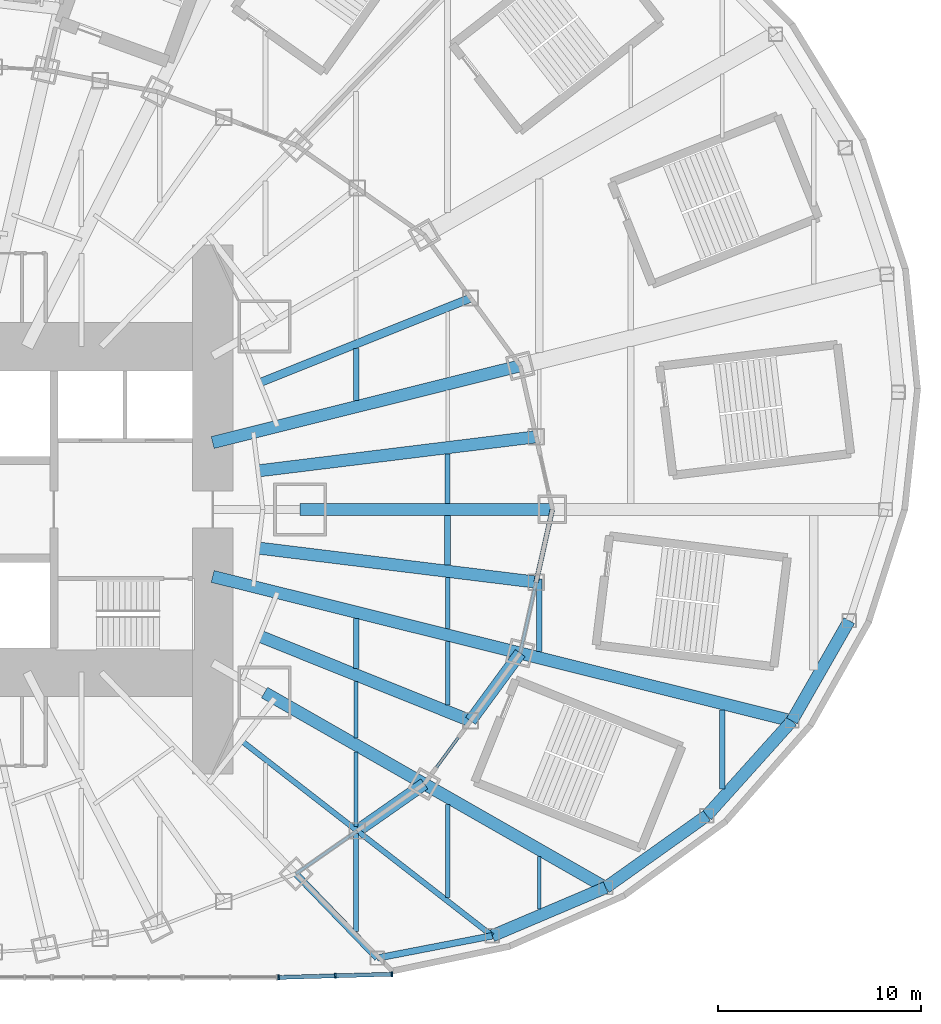
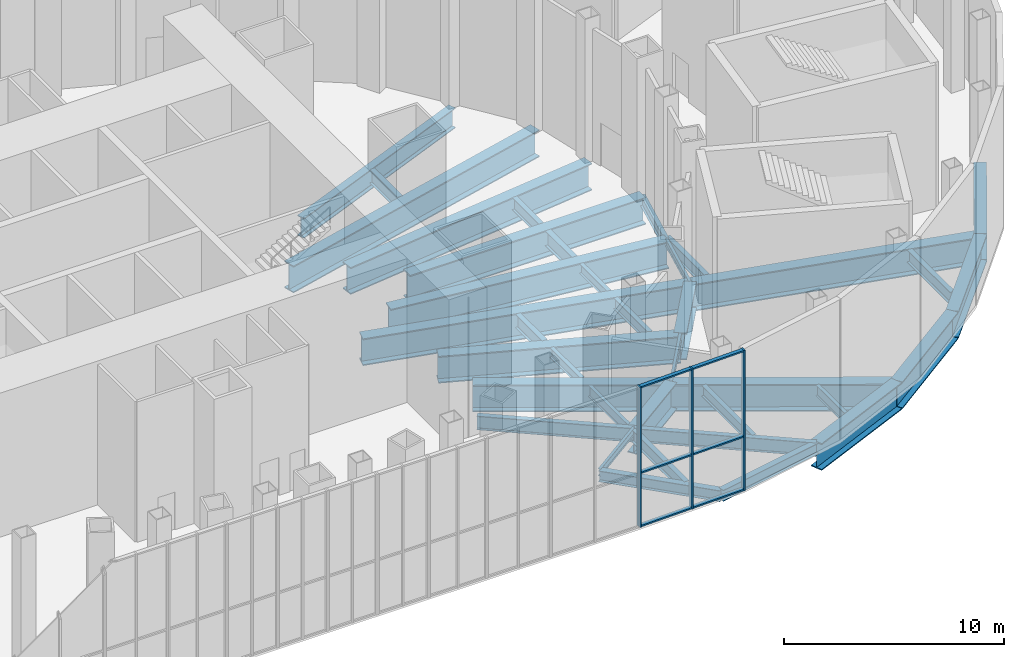
# One storey, part 9 of 74: 37 beams, 9 members, 1 element without a shape of its own.
"""IFC4 building model written with IfcOpenShell, lengths in metres."""

from ifc_helpers import new_model, si_unit, direction, frame, origin, origin_2d, place, context, subcontext, project, spatial, rectangle, i_section, extrude, material, material_profile, profile_set, type_object, element, aggregate, save


model = new_model("IFC4")

# Units and contexts
model_context = context("Model", 3, precision=1e-05, world=origin(), true_north=direction((0.0, 1.0)))
body_context = subcontext(model_context, "Body", "Model", "MODEL_VIEW")
ifc_project = project(units=[si_unit("LENGTHUNIT", "METRE"), si_unit("AREAUNIT", "SQUARE_METRE"), si_unit("VOLUMEUNIT", "CUBIC_METRE"), si_unit("PLANEANGLEUNIT", "RADIAN"), si_unit("MASSUNIT", "GRAM", prefix="KILO")], contexts=[model_context])

# Site, building, storey
site_placement = place(None, origin())
site = spatial("IfcSite", under=ifc_project, at=site_placement, CompositionType="ELEMENT")
building_placement = place(site_placement, origin())
building = spatial("IfcBuilding", under=site, at=building_placement, Name="Lantaw Convention Tower", CompositionType="ELEMENT")
storey_placement = place(building_placement, frame((0.0, 0.0, 6.5)))
storey = spatial("IfcBuildingStorey", under=building, at=storey_placement, Name="L01", CompositionType="ELEMENT", Elevation=6.5)

# Beams
ifc_material_1 = material(Name="Steel ASTM A572 Grade 50", Category="steel")
ifc_material_profile_1 = material_profile(ifc_material_1, i_section(OverallWidth=0.60009765625, OverallDepth=1.5, WebThickness=0.02490234375, FlangeThickness=0.06005859375, at=origin_2d()), Name="PG1500X600X25X60")
ifc_profile_set_1 = profile_set([ifc_material_profile_1], Name="Steel ASTM A572 Grade 50")
beam_type_1 = type_object("IfcBeamType", Name="Beam E PG1500X600X25X60", PredefinedType="SPANDREL", material=ifc_profile_set_1)
beam_1_placement = place(storey_placement, frame((20.308837890625, -15.794189453125, -0.949951171875), z_axis=(0.81942291701, 0.57318939547, 0.0), x_axis=(-0.57318939547, 0.81942291701, 0.0)))
element("IfcBeam", 1, at=beam_1_placement, inside=storey, type_object=beam_type_1, Name="Edge beam 22", PredefinedType="SPANDREL", context=body_context, shape_type="SweptSolid", body=[
    extrude(i_section(OverallWidth=0.60009765625, OverallDepth=1.5, WebThickness=0.02490234375, FlangeThickness=0.06005859375, at=origin_2d()), origin(), (0.0, 0.0, 1.0), 4.0224609375),
])
beam_2_placement = place(storey_placement, frame((25.8779296875, -10.388427734375, -0.949951171875), z_axis=(0.591255937291, 0.806483984105, 0.0), x_axis=(-0.806483984105, 0.591255937291, 0.0)))
element("IfcBeam", 2, at=beam_2_placement, inside=storey, type_object=beam_type_1, Name="Edge beam 23", PredefinedType="SPANDREL", context=body_context, shape_type="SweptSolid", body=[
    extrude(i_section(OverallWidth=0.60009765625, OverallDepth=1.5, WebThickness=0.02490234375, FlangeThickness=0.06005859375, at=origin_2d()), origin(), (0.0, 0.0, 1.0), 4.126708984375),
])
beam_3_placement = place(storey_placement, frame((26.94287109375, -20.95361328125, -0.949951171875), z_axis=(0.920324392734, 0.391155994636, 0.0), x_axis=(-0.391155994636, 0.920324392734, 0.0)))
element("IfcBeam", 3, at=beam_3_placement, inside=storey, type_object=beam_type_1, Name="Podium edge beam B21", PredefinedType="SPANDREL", context=body_context, shape_type="SweptSolid", body=[
    extrude(i_section(OverallWidth=0.60009765625, OverallDepth=1.5, WebThickness=0.02490234375, FlangeThickness=0.06005859375, at=origin_2d()), origin(), (0.0, 0.0, 1.0), 6.060546875),
])
beam_4_placement = place(storey_placement, frame((32.5205078125, -18.5830078125, -0.949951171875), z_axis=(0.814722795246, 0.579850641895, 0.0), x_axis=(-0.579850641895, 0.814722795246, 0.0)))
element("IfcBeam", 4, at=beam_4_placement, inside=storey, type_object=beam_type_1, Name="Podium edge beam R22", PredefinedType="SPANDREL", context=body_context, shape_type="SweptSolid", body=[
    extrude(i_section(OverallWidth=0.60009765625, OverallDepth=1.5, WebThickness=0.02490234375, FlangeThickness=0.06005859375, at=origin_2d()), origin(), (0.0, 0.0, 1.0), 6.095458984375),
])
beam_5_placement = place(storey_placement, frame((37.486572265625, -15.048583984375, -0.949951171875), z_axis=(0.668363614772, 0.74383471178, 0.0), x_axis=(-0.74383471178, 0.668363614772, 0.0)))
element("IfcBeam", 5, at=beam_5_placement, inside=storey, type_object=beam_type_1, Name="Podium edge beam B22", PredefinedType="SPANDREL", context=body_context, shape_type="SweptSolid", body=[
    extrude(i_section(OverallWidth=0.60009765625, OverallDepth=1.5, WebThickness=0.02490234375, FlangeThickness=0.06005859375, at=origin_2d()), origin(), (0.0, 0.0, 1.0), 6.2626953125),
])
beam_6_placement = place(storey_placement, frame((41.67236328125, -10.39013671875, -0.949951171875), z_axis=(0.496180629465, 0.868219317306, 0.0), x_axis=(-0.868219317306, 0.496180629465, 0.0)))
element("IfcBeam", 6, at=beam_6_placement, inside=storey, type_object=beam_type_1, Name="Podium edge beam R23", PredefinedType="SPANDREL", context=body_context, shape_type="SweptSolid", body=[
    extrude(i_section(OverallWidth=0.60009765625, OverallDepth=1.5, WebThickness=0.02490234375, FlangeThickness=0.06005859375, at=origin_2d()), origin(), (0.0, 0.0, 1.0), 5.67578125),
])
ifc_material_2 = material(Name="Steel ASTM A992", Category="steel")
ifc_material_profile_2 = material_profile(ifc_material_2, i_section(OverallWidth=0.140380859375, OverallDepth=0.40380859375, WebThickness=0.007080078125, FlangeThickness=0.01123046875, FilletRadius=0.01025390625, at=origin_2d()), Name="W16X31")
ifc_profile_set_2 = profile_set([ifc_material_profile_2], Name="Steel ASTM A992")
beam_type_2 = type_object("IfcBeamType", Name="Beam E W16X31", PredefinedType="SPANDREL", material=ifc_profile_set_2)
beam_7_placement = place(storey_placement, frame((17.290771484375, -17.9052734375, -0.40185546875), z_axis=(0.819431174801, 0.573177590075, 0.0), x_axis=(-0.573177590075, 0.819431174801, 0.0)))
element("IfcBeam", 7, at=beam_7_placement, inside=storey, type_object=beam_type_2, Name="Edge beam 22", PredefinedType="SPANDREL", context=body_context, shape_type="SweptSolid", body=[
    extrude(i_section(OverallWidth=0.140380859375, OverallDepth=0.40380859375, WebThickness=0.007080078125, FlangeThickness=0.01123046875, FilletRadius=0.01025390625, at=origin_2d()), origin(), (0.0, 0.0, 1.0), 3.68310546875),
])
beam_8_placement = place(storey_placement, frame((23.60498046875, -13.488525390625, -0.40185546875), z_axis=(0.591286566758, 0.806461527893, 0.0), x_axis=(-0.806461527893, 0.591286566758, 0.0)))
element("IfcBeam", 8, at=beam_8_placement, inside=storey, type_object=beam_type_2, Name="Edge beam 23", PredefinedType="SPANDREL", context=body_context, shape_type="SweptSolid", body=[
    extrude(i_section(OverallWidth=0.140380859375, OverallDepth=0.40380859375, WebThickness=0.007080078125, FlangeThickness=0.01123046875, FilletRadius=0.01025390625, at=origin_2d()), origin(), (0.0, 0.0, 1.0), 3.843994140625),
])
beam_9_placement = place(storey_placement, frame((28.31787109375, -7.060302734375, -0.40185546875), z_axis=(0.218673326171, 0.97579812278, 0.0), x_axis=(-0.97579812278, 0.218673326171, 0.0)))
element("IfcBeam", 9, at=beam_9_placement, inside=storey, type_object=beam_type_2, Name="Edge beam 24", PredefinedType="SPANDREL", context=body_context, shape_type="SweptSolid", body=[
    extrude(i_section(OverallWidth=0.140380859375, OverallDepth=0.40380859375, WebThickness=0.007080078125, FlangeThickness=0.01123046875, FilletRadius=0.01025390625, at=origin_2d()), origin(), (0.0, 0.0, 1.0), 3.57373046875),
])
ifc_material_profile_3 = material_profile(ifc_material_2, i_section(OverallWidth=0.3251953125, OverallDepth=0.612060546875, WebThickness=0.0126953125, FlangeThickness=0.01904296875, FilletRadius=0.0126953125, at=origin_2d()), Name="W24X104")
ifc_profile_set_3 = profile_set([ifc_material_profile_3], Name="Steel ASTM A992")
beam_type_3 = type_object("IfcBeamType", Name="Beam E W24X104", PredefinedType="SPANDREL", material=ifc_profile_set_3)
beam_10_placement = place(storey_placement, frame((21.290771484375, -22.04736328125, -0.506103515625), z_axis=(0.981786485539, 0.18998762279, 0.0), x_axis=(-0.18998762279, 0.981786485539, 0.0)))
element("IfcBeam", 10, at=beam_10_placement, inside=storey, type_object=beam_type_3, Name="Podium edge beam R21", PredefinedType="SPANDREL", context=body_context, shape_type="SweptSolid", body=[
    extrude(i_section(OverallWidth=0.3251953125, OverallDepth=0.612060546875, WebThickness=0.0126953125, FlangeThickness=0.01904296875, FilletRadius=0.0126953125, at=origin_2d()), origin(), (0.0, 0.0, 1.0), 5.7568359375),
])
ifc_material_profile_4 = material_profile(ifc_material_2, i_section(OverallWidth=0.22900390625, OverallDepth=0.612060546875, WebThickness=0.011962890625, FlangeThickness=0.01953125, FilletRadius=0.0126953125, at=origin_2d()), Name="W24X84")
ifc_profile_set_4 = profile_set([ifc_material_profile_4], Name="Steel ASTM A992")
beam_type_4 = type_object("IfcBeamType", Name="Beam E W24X84", PredefinedType="SPANDREL", material=ifc_profile_set_4)
beam_11_placement = place(storey_placement, frame((29.099365234375, -3.572998046875, -0.506103515625), z_axis=(0.218631550323, 0.975807483679, 0.0), x_axis=(-0.975807483679, 0.218631550323, 0.0)))
element("IfcBeam", 11, at=beam_11_placement, inside=storey, type_object=beam_type_4, Name="Edge beam 24", PredefinedType="SPANDREL", context=body_context, shape_type="SweptSolid", body=[
    extrude(i_section(OverallWidth=0.22900390625, OverallDepth=0.612060546875, WebThickness=0.011962890625, FlangeThickness=0.01953125, FilletRadius=0.0126953125, at=origin_2d()), origin(), (0.0, 0.0, 1.0), 3.66162109375),
])
ifc_material_profile_5 = material_profile(ifc_material_1, i_section(OverallWidth=0.60009765625, OverallDepth=1.5, WebThickness=0.02490234375, FlangeThickness=0.06005859375, at=origin_2d()), Name="PG1500X600X25X60")
ifc_profile_set_5 = profile_set([ifc_material_profile_5], Name="Steel ASTM A572 Grade 50")
beam_type_5 = type_object("IfcBeamType", Name="Beam G PG1500X600X25X60", PredefinedType="BEAM", material=ifc_profile_set_5)
beam_12_placement = place(storey_placement, frame((17.5, 0.0, -0.949951171875), z_axis=(1.0, 0.0, 0.0), x_axis=(0.0, 1.0, 0.0)))
element("IfcBeam", 12, at=beam_12_placement, inside=storey, type_object=beam_type_5, Name="Floor girder on ray 1", PredefinedType="BEAM", context=body_context, shape_type="SweptSolid", body=[
    extrude(i_section(OverallWidth=0.60009765625, OverallDepth=1.5, WebThickness=0.02490234375, FlangeThickness=0.06005859375, at=origin_2d()), origin(), (0.0, 0.0, 1.0), 12.39990234375),
])
beam_13_placement = place(storey_placement, frame((15.433349609375, 1.89501953125, -0.949951171875), z_axis=(0.99254612715, 0.121869542874, 0.0), x_axis=(-0.121869542874, 0.99254612715, 0.0)))
element("IfcBeam", 13, at=beam_13_placement, inside=storey, type_object=beam_type_5, Name="Floor girder on bisector 1", PredefinedType="BEAM", context=body_context, shape_type="SweptSolid", body=[
    extrude(i_section(OverallWidth=0.60009765625, OverallDepth=1.5, WebThickness=0.02490234375, FlangeThickness=0.06005859375, at=origin_2d()), origin(), (0.0, 0.0, 1.0), 13.7685546875),
])
beam_14_placement = place(storey_placement, frame((13.199951171875, 3.291015625, -0.949951171875), z_axis=(0.970296233567, 0.241919860957, 0.0), x_axis=(-0.241919860957, 0.970296233567, 0.0)))
element("IfcBeam", 14, at=beam_14_placement, inside=storey, type_object=beam_type_5, Name="Floor girder on ray 2", PredefinedType="BEAM", context=body_context, shape_type="SweptSolid", body=[
    extrude(i_section(OverallWidth=0.60009765625, OverallDepth=1.5, WebThickness=0.02490234375, FlangeThickness=0.06005859375, at=origin_2d()), origin(), (0.0, 0.0, 1.0), 15.580810546875),
])
beam_15_placement = place(storey_placement, frame((15.75, -9.0, -0.949951171875), z_axis=(0.868244802791, -0.496136032179, 0.0), x_axis=(0.496136032179, 0.868244802791, 0.0)))
element("IfcBeam", 15, at=beam_15_placement, inside=storey, type_object=beam_type_5, Name="Floor girder on ray 23", PredefinedType="BEAM", context=body_context, shape_type="SweptSolid", body=[
    extrude(i_section(OverallWidth=0.60009765625, OverallDepth=1.5, WebThickness=0.02490234375, FlangeThickness=0.06005859375, at=origin_2d()), origin(), (0.0, 0.0, 1.0), 9.046875),
])
beam_16_placement = place(storey_placement, frame((15.52001953125, -6.230224609375, -0.949951171875), z_axis=(0.928011337871, -0.37255195179, 0.0), x_axis=(0.37255195179, 0.928011337871, 0.0)))
element("IfcBeam", 16, at=beam_16_placement, inside=storey, type_object=beam_type_5, Name="Floor girder on bisector 23", PredefinedType="BEAM", context=body_context, shape_type="SweptSolid", body=[
    extrude(i_section(OverallWidth=0.60009765625, OverallDepth=1.5, WebThickness=0.02490234375, FlangeThickness=0.06005859375, at=origin_2d()), origin(), (0.0, 0.0, 1.0), 11.161376953125),
])
beam_17_placement = place(storey_placement, frame((13.199951171875, -3.291015625, -0.949951171875), z_axis=(0.970296233567, -0.241919860957, 0.0), x_axis=(0.241919860957, 0.970296233567, 0.0)))
element("IfcBeam", 17, at=beam_17_placement, inside=storey, type_object=beam_type_5, Name="Floor girder on ray 24", PredefinedType="BEAM", context=body_context, shape_type="SweptSolid", body=[
    extrude(i_section(OverallWidth=0.60009765625, OverallDepth=1.5, WebThickness=0.02490234375, FlangeThickness=0.06005859375, at=origin_2d()), origin(), (0.0, 0.0, 1.0), 15.580810546875),
])
beam_18_placement = place(storey_placement, frame((15.433349609375, -1.89501953125, -0.949951171875), z_axis=(0.99254612715, -0.121869542874, 0.0), x_axis=(0.121869542874, 0.99254612715, 0.0)))
element("IfcBeam", 18, at=beam_18_placement, inside=storey, type_object=beam_type_5, Name="Floor girder on bisector 24", PredefinedType="BEAM", context=body_context, shape_type="SweptSolid", body=[
    extrude(i_section(OverallWidth=0.60009765625, OverallDepth=1.5, WebThickness=0.02490234375, FlangeThickness=0.06005859375, at=origin_2d()), origin(), (0.0, 0.0, 1.0), 13.7685546875),
])
ifc_material_profile_6 = material_profile(ifc_material_2, i_section(OverallWidth=0.2666015625, OverallDepth=0.76953125, WebThickness=0.015625, FlangeThickness=0.025390625, FilletRadius=0.0126953125, at=origin_2d()), Name="W30X132")
ifc_profile_set_6 = profile_set([ifc_material_profile_6], Name="Steel ASTM A992")
beam_type_6 = type_object("IfcBeamType", Name="Beam G W30X132", PredefinedType="BEAM", material=ifc_profile_set_6)
beam_19_placement = place(storey_placement, frame((14.628173828125, -11.37646484375, -0.584716796875), z_axis=(0.789390578332, -0.613891289106, 0.0), x_axis=(0.613891289106, 0.789390578332, 0.0)))
element("IfcBeam", 19, at=beam_19_placement, inside=storey, type_object=beam_type_6, Name="Floor girder on bisector 22", PredefinedType="BEAM", context=body_context, shape_type="SweptSolid", body=[
    extrude(i_section(OverallWidth=0.2666015625, OverallDepth=0.76953125, WebThickness=0.015625, FlangeThickness=0.025390625, FilletRadius=0.0126953125, at=origin_2d()), origin(), (0.0, 0.0, 1.0), 7.1962890625),
])
ifc_material_profile_7 = material_profile(ifc_material_2, i_section(OverallWidth=0.40380859375, OverallDepth=1.11767578125, WebThickness=0.026123046875, FlangeThickness=0.044921875, FilletRadius=0.02001953125, at=origin_2d()), Name="W44X335")
ifc_profile_set_7 = profile_set([ifc_material_profile_7], Name="Steel ASTM A992")
beam_type_7 = type_object("IfcBeamType", Name="Beam G W44X335", PredefinedType="BEAM", material=ifc_profile_set_7)
beam_20_placement = place(storey_placement, frame((15.52001953125, 6.23046875, -0.7587890625), z_axis=(0.928018900171, 0.372533113864, 0.0), x_axis=(-0.372533113864, 0.928018900171, 0.0)))
element("IfcBeam", 20, at=beam_20_placement, inside=storey, type_object=beam_type_7, Name="Floor girder on bisector 2", PredefinedType="BEAM", context=body_context, shape_type="SweptSolid", body=[
    extrude(i_section(OverallWidth=0.40380859375, OverallDepth=1.11767578125, WebThickness=0.026123046875, FlangeThickness=0.044921875, FilletRadius=0.02001953125, at=origin_2d()), origin(), (0.0, 0.0, 1.0), 11.161376953125),
])
ifc_material_profile_8 = material_profile(ifc_material_2, i_section(OverallWidth=0.2099609375, OverallDepth=0.535888671875, WebThickness=0.010986328125, FlangeThickness=0.017333984375, FilletRadius=0.012939453125, at=origin_2d()), Name="W21X68")
ifc_profile_set_8 = profile_set([ifc_material_profile_8], Name="Steel ASTM A992")
beam_type_8 = type_object("IfcBeamType", Name="Beam J W21X68", PredefinedType="JOIST", material=ifc_profile_set_8)
beam_21_placement = place(storey_placement, frame((20.25, -11.225830078125, -0.468017578125), z_axis=(0.0, 1.0, 0.0), x_axis=(-1.0, 0.0, 0.0)))
element("IfcBeam", 21, at=beam_21_placement, inside=storey, type_object=beam_type_8, Name="Floor joist", PredefinedType="JOIST", context=body_context, shape_type="SweptSolid", body=[
    extrude(i_section(OverallWidth=0.2099609375, OverallDepth=0.535888671875, WebThickness=0.010986328125, FlangeThickness=0.017333984375, FilletRadius=0.012939453125, at=origin_2d()), origin(), (0.0, 0.0, 1.0), 2.7734375),
])
beam_22_placement = place(storey_placement, frame((24.75, -5.861572265625, -0.468017578125), z_axis=(0.0, 1.0, 0.0), x_axis=(-1.0, 0.0, 0.0)))
element("IfcBeam", 22, at=beam_22_placement, inside=storey, type_object=beam_type_8, Name="Floor joist", PredefinedType="JOIST", context=body_context, shape_type="SweptSolid", body=[
    extrude(i_section(OverallWidth=0.2099609375, OverallDepth=0.535888671875, WebThickness=0.010986328125, FlangeThickness=0.017333984375, FilletRadius=0.012939453125, at=origin_2d()), origin(), (0.0, 0.0, 1.0), 2.5205078125),
])
ifc_material_profile_9 = material_profile(ifc_material_2, i_section(OverallWidth=0.177978515625, OverallDepth=0.599365234375, WebThickness=0.010009765625, FlangeThickness=0.012939453125, FilletRadius=0.012939453125, at=origin_2d()), Name="W24X55")
ifc_profile_set_9 = profile_set([ifc_material_profile_9], Name="Steel ASTM A992")
beam_type_9 = type_object("IfcBeamType", Name="Beam J W24X55", PredefinedType="JOIST", material=ifc_profile_set_9)
beam_23_placement = place(storey_placement, frame((20.25, -15.57958984375, -0.499755859375), z_axis=(0.0, 1.0, 0.0), x_axis=(-1.0, 0.0, 0.0)))
element("IfcBeam", 23, at=beam_23_placement, inside=storey, type_object=beam_type_9, Name="Floor joist", PredefinedType="JOIST", context=body_context, shape_type="SweptSolid", body=[
    extrude(i_section(OverallWidth=0.177978515625, OverallDepth=0.599365234375, WebThickness=0.010009765625, FlangeThickness=0.012939453125, FilletRadius=0.012939453125, at=origin_2d()), origin(), (0.0, 0.0, 1.0), 3.66259765625),
])
beam_24_placement = place(storey_placement, frame((29.25, -19.647216796875, -0.499755859375), z_axis=(0.0, 1.0, 0.0), x_axis=(-1.0, 0.0, 0.0)))
element("IfcBeam", 24, at=beam_24_placement, inside=storey, type_object=beam_type_9, Name="Floor joist", PredefinedType="JOIST", context=body_context, shape_type="SweptSolid", body=[
    extrude(i_section(OverallWidth=0.177978515625, OverallDepth=0.599365234375, WebThickness=0.010009765625, FlangeThickness=0.012939453125, FilletRadius=0.012939453125, at=origin_2d()), origin(), (0.0, 0.0, 1.0), 2.58740234375),
])
ifc_material_profile_10 = material_profile(ifc_material_2, i_section(OverallWidth=0.227783203125, OverallDepth=0.60205078125, WebThickness=0.010498046875, FlangeThickness=0.014892578125, FilletRadius=0.012939453125, at=origin_2d()), Name="W24X68")
ifc_profile_set_10 = profile_set([ifc_material_profile_10], Name="Steel ASTM A992")
beam_type_10 = type_object("IfcBeamType", Name="Beam J W24X68", PredefinedType="JOIST", material=ifc_profile_set_10)
beam_25_placement = place(storey_placement, frame((24.75, -19.079345703125, -0.5009765625), z_axis=(0.0, 1.0, 0.0), x_axis=(-1.0, 0.0, 0.0)))
element("IfcBeam", 25, at=beam_25_placement, inside=storey, type_object=beam_type_10, Name="Floor joist", PredefinedType="JOIST", context=body_context, shape_type="SweptSolid", body=[
    extrude(i_section(OverallWidth=0.227783203125, OverallDepth=0.60205078125, WebThickness=0.010498046875, FlangeThickness=0.014892578125, FilletRadius=0.012939453125, at=origin_2d()), origin(), (0.0, 0.0, 1.0), 4.591064453125),
])
ifc_material_profile_11 = material_profile(ifc_material_2, i_section(OverallWidth=0.22900390625, OverallDepth=0.612060546875, WebThickness=0.011962890625, FlangeThickness=0.01953125, FilletRadius=0.0126953125, at=origin_2d()), Name="W24X84")
ifc_profile_set_11 = profile_set([ifc_material_profile_11], Name="Steel ASTM A992")
beam_type_11 = type_object("IfcBeamType", Name="Beam J W24X84", PredefinedType="JOIST", material=ifc_profile_set_11)
beam_26_placement = place(storey_placement, frame((24.75, -9.6123046875, -0.506103515625), z_axis=(0.0, 1.0, 0.0), x_axis=(-1.0, 0.0, 0.0)))
element("IfcBeam", 26, at=beam_26_placement, inside=storey, type_object=beam_type_11, Name="Floor joist", PredefinedType="JOIST", context=body_context, shape_type="SweptSolid", body=[
    extrude(i_section(OverallWidth=0.22900390625, OverallDepth=0.612060546875, WebThickness=0.011962890625, FlangeThickness=0.01953125, FilletRadius=0.0126953125, at=origin_2d()), origin(), (0.0, 0.0, 1.0), 3.13232421875),
])
ifc_material_profile_12 = material_profile(ifc_material_2, i_section(OverallWidth=0.25390625, OverallDepth=0.700927734375, WebThickness=0.015380859375, FlangeThickness=0.02783203125, FilletRadius=0.01513671875, at=origin_2d()), Name="W27X129")
ifc_profile_set_12 = profile_set([ifc_material_profile_12], Name="Steel ASTM A992")
beam_type_12 = type_object("IfcBeamType", Name="Beam J W27X129", PredefinedType="JOIST", material=ifc_profile_set_12)
beam_27_placement = place(storey_placement, frame((24.75, 0.300048828125, -0.550537109375), z_axis=(0.0, 1.0, 0.0), x_axis=(-1.0, 0.0, 0.0)))
element("IfcBeam", 27, at=beam_27_placement, inside=storey, type_object=beam_type_12, Name="Floor joist", PredefinedType="JOIST", context=body_context, shape_type="SweptSolid", body=[
    extrude(i_section(OverallWidth=0.25390625, OverallDepth=0.700927734375, WebThickness=0.015380859375, FlangeThickness=0.02783203125, FilletRadius=0.01513671875, at=origin_2d()), origin(), (0.0, 0.0, 1.0), 2.4365234375),
])
beam_28_placement = place(storey_placement, frame((38.25, -13.75, -0.550537109375), z_axis=(0.0, 1.0, 0.0), x_axis=(-1.0, 0.0, 0.0)))
element("IfcBeam", 28, at=beam_28_placement, inside=storey, type_object=beam_type_12, Name="Floor joist", PredefinedType="JOIST", context=body_context, shape_type="SweptSolid", body=[
    extrude(i_section(OverallWidth=0.25390625, OverallDepth=0.700927734375, WebThickness=0.015380859375, FlangeThickness=0.02783203125, FilletRadius=0.01513671875, at=origin_2d()), origin(), (0.0, 0.0, 1.0), 3.904052734375),
])
ifc_material_profile_13 = material_profile(ifc_material_2, i_section(OverallWidth=0.25390625, OverallDepth=0.683349609375, WebThickness=0.012451171875, FlangeThickness=0.01904296875, FilletRadius=0.01513671875, at=origin_2d()), Name="W27X94")
ifc_profile_set_13 = profile_set([ifc_material_profile_13], Name="Steel ASTM A992")
beam_type_13 = type_object("IfcBeamType", Name="Beam J W27X94", PredefinedType="JOIST", material=ifc_profile_set_13)
beam_29_placement = place(storey_placement, frame((20.25, -20.735595703125, -0.541748046875), z_axis=(0.0, 1.0, 0.0), x_axis=(-1.0, 0.0, 0.0)))
element("IfcBeam", 29, at=beam_29_placement, inside=storey, type_object=beam_type_13, Name="Floor joist", PredefinedType="JOIST", context=body_context, shape_type="SweptSolid", body=[
    extrude(i_section(OverallWidth=0.25390625, OverallDepth=0.683349609375, WebThickness=0.012451171875, FlangeThickness=0.01904296875, FilletRadius=0.01513671875, at=origin_2d()), origin(), (0.0, 0.0, 1.0), 4.814697265625),
])
beam_30_placement = place(storey_placement, frame((29.25, -6.983642578125, -0.541748046875), z_axis=(0.0, 1.0, 0.0), x_axis=(-1.0, 0.0, 0.0)))
element("IfcBeam", 30, at=beam_30_placement, inside=storey, type_object=beam_type_13, Name="Floor joist", PredefinedType="JOIST", context=body_context, shape_type="SweptSolid", body=[
    extrude(i_section(OverallWidth=0.25390625, OverallDepth=0.683349609375, WebThickness=0.012451171875, FlangeThickness=0.01904296875, FilletRadius=0.01513671875, at=origin_2d()), origin(), (0.0, 0.0, 1.0), 3.55908203125),
])
ifc_material_profile_14 = material_profile(ifc_material_2, i_section(OverallWidth=0.2666015625, OverallDepth=0.7568359375, WebThickness=0.013916015625, FlangeThickness=0.019287109375, FilletRadius=0.0126953125, at=origin_2d()), Name="W30X108")
ifc_profile_set_14 = profile_set([ifc_material_profile_14], Name="Steel ASTM A992")
beam_type_14 = type_object("IfcBeamType", Name="Beam J W30X108", PredefinedType="JOIST", material=ifc_profile_set_14)
beam_31_placement = place(storey_placement, frame((20.25, -7.805908203125, -0.578369140625), z_axis=(0.0, 1.0, 0.0), x_axis=(-1.0, 0.0, 0.0)))
element("IfcBeam", 31, at=beam_31_placement, inside=storey, type_object=beam_type_14, Name="Floor joist", PredefinedType="JOIST", context=body_context, shape_type="SweptSolid", body=[
    extrude(i_section(OverallWidth=0.2666015625, OverallDepth=0.7568359375, WebThickness=0.013916015625, FlangeThickness=0.019287109375, FilletRadius=0.0126953125, at=origin_2d()), origin(), (0.0, 0.0, 1.0), 2.44775390625),
])
beam_32_placement = place(storey_placement, frame((20.25, 5.358154296875, -0.578369140625), z_axis=(0.0, 1.0, 0.0), x_axis=(-1.0, 0.0, 0.0)))
element("IfcBeam", 32, at=beam_32_placement, inside=storey, type_object=beam_type_14, Name="Floor joist", PredefinedType="JOIST", context=body_context, shape_type="SweptSolid", body=[
    extrude(i_section(OverallWidth=0.2666015625, OverallDepth=0.7568359375, WebThickness=0.013916015625, FlangeThickness=0.019287109375, FilletRadius=0.0126953125, at=origin_2d()), origin(), (0.0, 0.0, 1.0), 2.553466796875),
])
ifc_material_profile_15 = material_profile(ifc_material_2, i_section(OverallWidth=0.2919921875, OverallDepth=0.845703125, WebThickness=0.015380859375, FlangeThickness=0.0244140625, FilletRadius=0.01513671875, at=origin_2d()), Name="W33X141")
ifc_profile_set_15 = profile_set([ifc_material_profile_15], Name="Steel ASTM A992")
beam_type_15 = type_object("IfcBeamType", Name="Beam J W33X141", PredefinedType="JOIST", material=ifc_profile_set_15)
beam_33_placement = place(storey_placement, frame((24.75, -2.736572265625, -0.622802734375), z_axis=(0.0, 1.0, 0.0), x_axis=(-1.0, 0.0, 0.0)))
element("IfcBeam", 33, at=beam_33_placement, inside=storey, type_object=beam_type_15, Name="Floor joist", PredefinedType="JOIST", context=body_context, shape_type="SweptSolid", body=[
    extrude(i_section(OverallWidth=0.2919921875, OverallDepth=0.845703125, WebThickness=0.015380859375, FlangeThickness=0.0244140625, FilletRadius=0.01513671875, at=origin_2d()), origin(), (0.0, 0.0, 1.0), 2.4365234375),
])
ifc_material_profile_16 = material_profile(ifc_material_1, i_section(OverallWidth=0.60009765625, OverallDepth=1.5, WebThickness=0.02490234375, FlangeThickness=0.06005859375, at=origin_2d()), Name="PG1500X600X25X60")
ifc_profile_set_16 = profile_set([ifc_material_profile_16], Name="Steel ASTM A572 Grade 50")
beam_type_16 = type_object("IfcBeamType", Name="Beam PG PG1500X600X25X60", PredefinedType="BEAM", material=ifc_profile_set_16)
beam_34_placement = place(storey_placement, frame((23.60498046875, -13.488525390625, -0.949951171875), z_axis=(0.868247531483, -0.4961312569, 0.0), x_axis=(0.4961312569, 0.868247531483, 0.0)))
element("IfcBeam", 34, at=beam_34_placement, inside=storey, type_object=beam_type_16, Name="Podium girder PR23", PredefinedType="BEAM", context=body_context, shape_type="SweptSolid", body=[
    extrude(i_section(OverallWidth=0.60009765625, OverallDepth=1.5, WebThickness=0.02490234375, FlangeThickness=0.06005859375, at=origin_2d()), origin(), (0.0, 0.0, 1.0), 10.268310546875),
])
beam_35_placement = place(storey_placement, frame((28.31787109375, -7.060302734375, -0.949951171875), z_axis=(0.97029256898, -0.24193455847, 0.0), x_axis=(0.24193455847, 0.97029256898, 0.0)))
element("IfcBeam", 35, at=beam_35_placement, inside=storey, type_object=beam_type_16, Name="Podium girder PR24", PredefinedType="BEAM", context=body_context, shape_type="SweptSolid", body=[
    extrude(i_section(OverallWidth=0.60009765625, OverallDepth=1.5, WebThickness=0.02490234375, FlangeThickness=0.06005859375, at=origin_2d()), origin(), (0.0, 0.0, 1.0), 13.763427734375),
])
ifc_material_profile_17 = material_profile(ifc_material_2, i_section(OverallWidth=0.3251953125, OverallDepth=0.612060546875, WebThickness=0.0126953125, FlangeThickness=0.01904296875, FilletRadius=0.0126953125, at=origin_2d()), Name="W24X104")
ifc_profile_set_17 = profile_set([ifc_material_profile_17], Name="Steel ASTM A992")
beam_type_17 = type_object("IfcBeamType", Name="Beam PG W24X104", PredefinedType="BEAM", material=ifc_profile_set_17)
beam_36_placement = place(storey_placement, frame((17.290771484375, -17.9052734375, -0.506103515625), z_axis=(0.694661096328, -0.719337167987, 0.0), x_axis=(0.719337167987, 0.694661096328, 0.0)))
element("IfcBeam", 36, at=beam_36_placement, inside=storey, type_object=beam_type_17, Name="Podium girder PR22", PredefinedType="BEAM", context=body_context, shape_type="SweptSolid", body=[
    extrude(i_section(OverallWidth=0.3251953125, OverallDepth=0.612060546875, WebThickness=0.0126953125, FlangeThickness=0.01904296875, FilletRadius=0.0126953125, at=origin_2d()), origin(), (0.0, 0.0, 1.0), 5.75830078125),
])
ifc_material_profile_18 = material_profile(ifc_material_2, i_section(OverallWidth=0.2666015625, OverallDepth=0.7568359375, WebThickness=0.013916015625, FlangeThickness=0.019287109375, FilletRadius=0.0126953125, at=origin_2d()), Name="W30X108")
ifc_profile_set_18 = profile_set([ifc_material_profile_18], Name="Steel ASTM A992")
beam_type_18 = type_object("IfcBeamType", Name="Beam PG W30X108", PredefinedType="BEAM", material=ifc_profile_set_18)
beam_37_placement = place(storey_placement, frame((20.308837890625, -15.794189453125, -0.578369140625), z_axis=(0.789374116062, -0.613912457025, 0.0), x_axis=(0.613912457025, 0.789374116062, 0.0)))
element("IfcBeam", 37, at=beam_37_placement, inside=storey, type_object=beam_type_18, Name="Podium girder PB22", PredefinedType="BEAM", context=body_context, shape_type="SweptSolid", body=[
    extrude(i_section(OverallWidth=0.2666015625, OverallDepth=0.7568359375, WebThickness=0.013916015625, FlangeThickness=0.019287109375, FilletRadius=0.0126953125, at=origin_2d()), origin(), (0.0, 0.0, 1.0), 8.404052734375),
])

# Curtain wall, members
ifc_material_3 = material(Name="Aluminium framed curtain wall", Category="aluminium")
curtain_wall_type = type_object("IfcCurtainWallType", Name="Podium storefront curtain wall, pale aluminium", PredefinedType="USERDEFINED", material=ifc_material_3)
curtain_wall_placement = place(storey_placement, origin())
curtain_wall = element("IfcCurtainWall", 38, at=curtain_wall_placement, inside=storey, type_object=curtain_wall_type, Name="Podium storefront curtain wall, pale aluminium L01", ObjectType="STOREFRONT", PredefinedType="USERDEFINED")
ifc_material_4 = material(Name="Aluminium 6063-T6", Category="aluminium")
ifc_material_profile_19 = material_profile(ifc_material_4, rectangle(XDim=0.25, YDim=0.080078125, at=origin_2d()), Name="CW-P mullion 80x250")
ifc_profile_set_19 = profile_set([ifc_material_profile_19], Name="Aluminium 6063-T6")
member_type_1 = type_object("IfcMemberType", Name="CW-P mullion 80x250", PredefinedType="MULLION", material=ifc_profile_set_19)
member_1_placement = place(storey_placement, frame((16.44580078125, -22.998779296875, 0.0), z_axis=(0.0, 0.0, 1.0), x_axis=(-0.028552206976, 0.99959230263, 0.0)))
member_1 = element("IfcMember", 39, at=member_1_placement, type_object=member_type_1, Name="CW-P mullion 1", PredefinedType="MULLION", context=body_context, shape_type="SweptSolid", body=[
    extrude(rectangle(XDim=0.25, YDim=0.080078125, at=origin_2d()), origin(), (0.0, 0.0, 1.0), 7.800048828125),
])
member_2_placement = place(storey_placement, frame((19.23046875, -22.91943359375, 0.0), z_axis=(0.0, 0.0, 1.0), x_axis=(-0.028552206976, 0.99959230263, 0.0)))
member_2 = element("IfcMember", 40, at=member_2_placement, type_object=member_type_1, Name="CW-P mullion 2", PredefinedType="MULLION", context=body_context, shape_type="SweptSolid", body=[
    extrude(rectangle(XDim=0.25, YDim=0.080078125, at=origin_2d()), origin(), (0.0, 0.0, 1.0), 7.800048828125),
])
member_3_placement = place(storey_placement, frame((22.01513671875, -22.83984375, 0.0), z_axis=(0.0, 0.0, 1.0), x_axis=(-0.028552206976, 0.99959230263, 0.0)))
member_3 = element("IfcMember", 41, at=member_3_placement, type_object=member_type_1, Name="CW-P mullion 3", PredefinedType="MULLION", context=body_context, shape_type="SweptSolid", body=[
    extrude(rectangle(XDim=0.25, YDim=0.080078125, at=origin_2d()), origin(), (0.0, 0.0, 1.0), 7.800048828125),
])
ifc_material_profile_20 = material_profile(ifc_material_4, rectangle(XDim=0.199951171875, YDim=0.080078125, at=origin_2d()), Name="CW-P transom 80x200")
ifc_profile_set_20 = profile_set([ifc_material_profile_20], Name="Aluminium 6063-T6")
member_type_2 = type_object("IfcMemberType", Name="CW-P transom 80x200", PredefinedType="USERDEFINED", material=ifc_profile_set_20)
member_4_placement = place(storey_placement, frame((16.485595703125, -22.997802734375, 0.0400390625), z_axis=(0.999590908137, 0.028600985457, 0.0), x_axis=(-0.028600985457, 0.999590908137, 0.0)))
member_4 = element("IfcMember", 42, at=member_4_placement, type_object=member_type_2, Name="CW-P transom 1.1", ObjectType="TRANSOM", PredefinedType="USERDEFINED", context=body_context, shape_type="SweptSolid", body=[
    extrude(rectangle(XDim=0.199951171875, YDim=0.080078125, at=origin_2d()), origin(), (0.0, 0.0, 1.0), 2.7060546875),
])
member_5_placement = place(storey_placement, frame((16.485595703125, -22.997802734375, 3.0), z_axis=(0.999590908137, 0.028600985457, 0.0), x_axis=(-0.028600985457, 0.999590908137, 0.0)))
member_5 = element("IfcMember", 43, at=member_5_placement, type_object=member_type_2, Name="CW-P transom 1.2", ObjectType="TRANSOM", PredefinedType="USERDEFINED", context=body_context, shape_type="SweptSolid", body=[
    extrude(rectangle(XDim=0.199951171875, YDim=0.080078125, at=origin_2d()), origin(), (0.0, 0.0, 1.0), 2.7060546875),
])
member_6_placement = place(storey_placement, frame((16.485595703125, -22.997802734375, 7.760009765625), z_axis=(0.999590908137, 0.028600985457, 0.0), x_axis=(-0.028600985457, 0.999590908137, 0.0)))
member_6 = element("IfcMember", 44, at=member_6_placement, type_object=member_type_2, Name="CW-P transom 1.3", ObjectType="TRANSOM", PredefinedType="USERDEFINED", context=body_context, shape_type="SweptSolid", body=[
    extrude(rectangle(XDim=0.199951171875, YDim=0.080078125, at=origin_2d()), origin(), (0.0, 0.0, 1.0), 2.7060546875),
])
member_7_placement = place(storey_placement, frame((19.270263671875, -22.918212890625, 0.0400390625), z_axis=(0.999590908137, 0.028600985457, 0.0), x_axis=(-0.028600985457, 0.999590908137, 0.0)))
member_7 = element("IfcMember", 45, at=member_7_placement, type_object=member_type_2, Name="CW-P transom 2.1", ObjectType="TRANSOM", PredefinedType="USERDEFINED", context=body_context, shape_type="SweptSolid", body=[
    extrude(rectangle(XDim=0.199951171875, YDim=0.080078125, at=origin_2d()), origin(), (0.0, 0.0, 1.0), 2.7060546875),
])
member_8_placement = place(storey_placement, frame((19.270263671875, -22.918212890625, 3.0), z_axis=(0.999590908137, 0.028600985457, 0.0), x_axis=(-0.028600985457, 0.999590908137, 0.0)))
member_8 = element("IfcMember", 46, at=member_8_placement, type_object=member_type_2, Name="CW-P transom 2.2", ObjectType="TRANSOM", PredefinedType="USERDEFINED", context=body_context, shape_type="SweptSolid", body=[
    extrude(rectangle(XDim=0.199951171875, YDim=0.080078125, at=origin_2d()), origin(), (0.0, 0.0, 1.0), 2.7060546875),
])
member_9_placement = place(storey_placement, frame((19.270263671875, -22.918212890625, 7.760009765625), z_axis=(0.999590908137, 0.028600985457, 0.0), x_axis=(-0.028600985457, 0.999590908137, 0.0)))
member_9 = element("IfcMember", 47, at=member_9_placement, type_object=member_type_2, Name="CW-P transom 2.3", ObjectType="TRANSOM", PredefinedType="USERDEFINED", context=body_context, shape_type="SweptSolid", body=[
    extrude(rectangle(XDim=0.199951171875, YDim=0.080078125, at=origin_2d()), origin(), (0.0, 0.0, 1.0), 2.7060546875),
])
aggregate(curtain_wall, [member_1, member_2, member_3, member_4, member_5, member_6, member_7, member_8, member_9])

save(model, "model.ifc")
